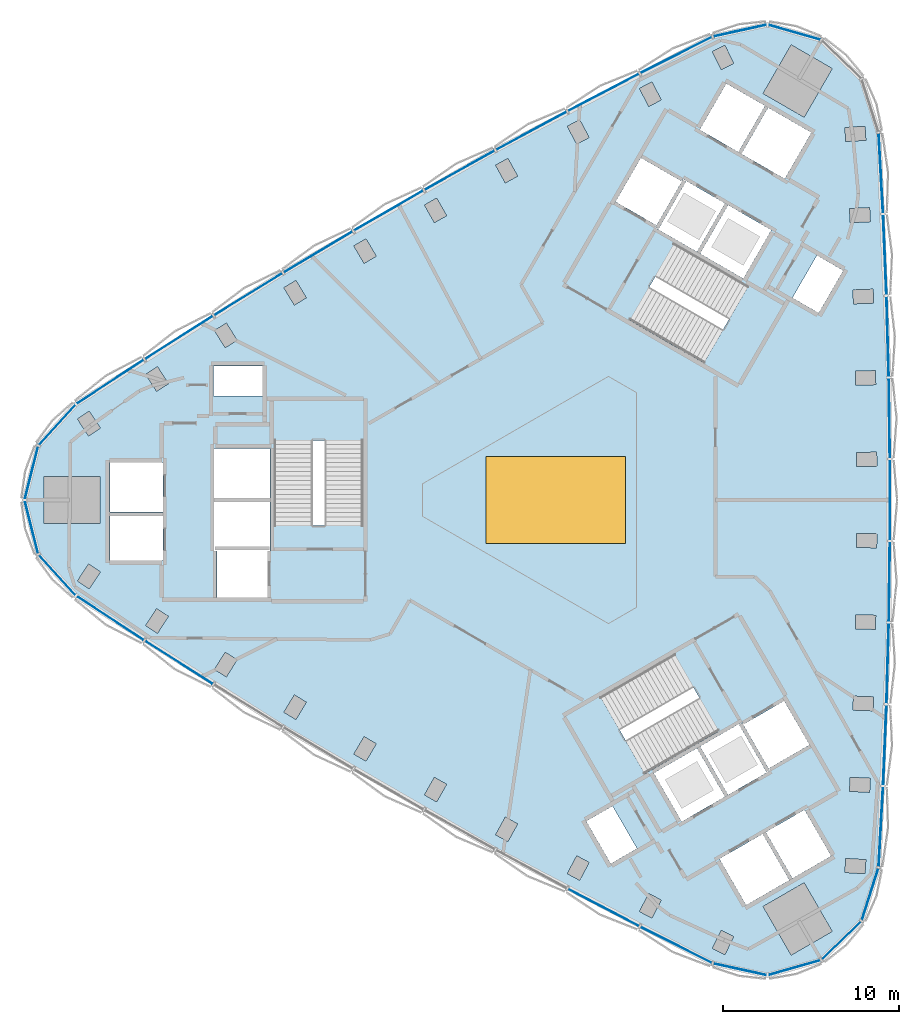
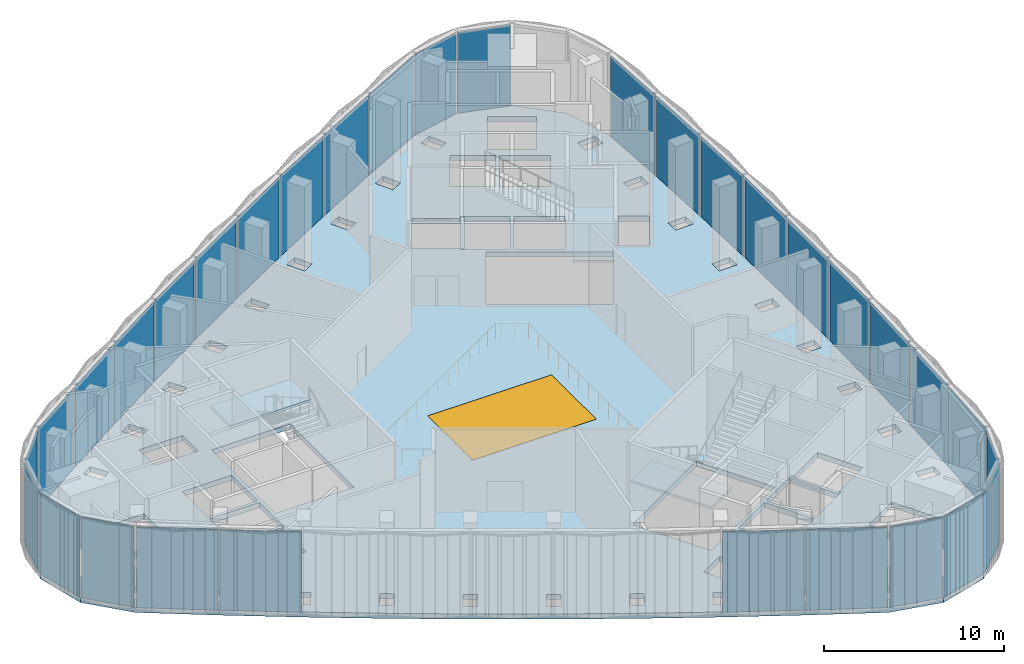
# One storey, part 4 of 14: 32 plates, 4 slabs, 1 window, 1 opening, 6 elements without a shape of their own.
"""IFC4 building model written with IfcOpenShell, lengths in metres."""

from ifc_helpers import new_model, si_unit, direction, frame, origin, origin_2d, place, context, subcontext, project, spatial, polyline, rectangle, outline, extrude, material, layer, layer_set, type_object, element, fill, aggregate, save


model = new_model("IFC4")

# Units and contexts
model_context = context("Model", 3, precision=1e-05, world=origin(), true_north=direction((0.0, 1.0)))
body_context = subcontext(model_context, "Body", "Model", "MODEL_VIEW")
ifc_project = project(units=[si_unit("LENGTHUNIT", "METRE"), si_unit("AREAUNIT", "SQUARE_METRE"), si_unit("VOLUMEUNIT", "CUBIC_METRE"), si_unit("PLANEANGLEUNIT", "RADIAN"), si_unit("MASSUNIT", "GRAM", prefix="KILO")], contexts=[model_context])

# Site, building, storey
site_placement = place(None, origin())
site = spatial("IfcSite", under=ifc_project, at=site_placement, CompositionType="ELEMENT")
building_placement = place(site_placement, origin())
building = spatial("IfcBuilding", under=site, at=building_placement, Name="Tamra Quay Hotel Tower", CompositionType="ELEMENT")
storey_placement = place(building_placement, frame((0.0, 0.0, 169.60009765625)))
storey = spatial("IfcBuildingStorey", under=building, at=storey_placement, Name="L42", CompositionType="ELEMENT", Elevation=169.60009765625)

# Stair, slab
ifc_material_1 = material(Name="Exit stair 2200 40 risers 150.0 going 258")
stair_type = type_object("IfcStairType", Name="Exit stair 2200 40 risers 150.0 going 258", PredefinedType="HALF_TURN_STAIR", material=ifc_material_1)
stair_1_placement = place(storey_placement, origin())
stair_1 = element("IfcStair", 1, at=stair_1_placement, inside=storey, type_object=stair_type, Name="L42 Exit stair ST3", PredefinedType="HALF_TURN_STAIR")
ifc_material_2 = material(Name="Concrete M70", Category="concrete")
ifc_layer_1 = layer(ifc_material_2, 0.175048828125)
ifc_layer_set_1 = layer_set([ifc_layer_1], Name="Concrete M70 stair landing 180")
slab_type_1 = type_object("IfcSlabType", Name="Concrete M70 stair landing 180", PredefinedType="LANDING", material=ifc_layer_set_1)
slab_1_placement = place(storey_placement, frame((0.0, 0.0, 2.824951171875)))
slab_1 = element("IfcSlab", 2, at=slab_1_placement, type_object=slab_type_1, Name="ST3 landing 1", PredefinedType="LANDING", context=body_context, shape_type="SweptSolid", body=[
    extrude(outline(polyline([(-10.932373046875, 3.40185546875), (-10.932373046875, 5.679931640625), (-16.09130859375, 5.679931640625), (-16.09130859375, 3.40185546875), (-10.932373046875, 3.40185546875)])), origin(), (0.0, 0.0, 1.0), 0.175048828125),
])
aggregate(stair_1, [slab_1])

stair_2_placement = place(storey_placement, origin())
stair_2 = element("IfcStair", 3, at=stair_2_placement, inside=storey, type_object=stair_type, Name="L42 Exit stair ST1", PredefinedType="HALF_TURN_STAIR")
slab_2_placement = place(storey_placement, frame((0.0, 0.0, 2.824951171875)))
slab_2 = element("IfcSlab", 4, at=slab_2_placement, type_object=slab_type_1, Name="ST1 landing 1", PredefinedType="LANDING", context=body_context, shape_type="SweptSolid", body=[
    extrude(outline(polyline([(8.412353515625, 7.7666015625), (10.385009765625, 6.627685546875), (12.964599609375, 11.095458984375), (10.99169921875, 12.234619140625), (8.412353515625, 7.7666015625)])), origin(), (0.0, 0.0, 1.0), 0.175048828125),
])
aggregate(stair_2, [slab_2])

stair_3_placement = place(storey_placement, origin())
stair_3 = element("IfcStair", 5, at=stair_3_placement, inside=storey, type_object=stair_type, Name="L42 Exit stair ST2", PredefinedType="HALF_TURN_STAIR")
slab_3_placement = place(storey_placement, frame((0.0, 0.0, 2.824951171875)))
slab_3 = element("IfcSlab", 6, at=slab_3_placement, type_object=slab_type_1, Name="ST2 landing 1", PredefinedType="LANDING", context=body_context, shape_type="SweptSolid", body=[
    extrude(outline(polyline([(2.52001953125, -11.168701171875), (0.547119140625, -12.3076171875), (3.126708984375, -16.775390625), (5.099609375, -15.636474609375), (2.52001953125, -11.168701171875)])), origin(), (0.0, 0.0, 1.0), 0.175048828125),
])
aggregate(stair_3, [slab_3])

# Slab, opening, window
ifc_material_3 = material(Name="Concrete M60", Category="concrete")
ifc_layer_2 = layer(ifc_material_3, 0.35009765625)
ifc_layer_set_2 = layer_set([ifc_layer_2], Name="FLOOR SLAB PT 350")
slab_type_2 = type_object("IfcSlabType", Name="FLOOR SLAB PT 350", PredefinedType="FLOOR", material=ifc_layer_set_2)
slab_4_placement = place(storey_placement, frame((0.0, 0.0, -0.35009765625)))
slab_4 = element("IfcSlab", 7, at=slab_4_placement, inside=storey, type_object=slab_type_2, Name="SLAB-L42", PredefinedType="FLOOR", context=body_context, shape_type="SweptSolid", body=[
    extrude(outline(polyline([(18.64990234375, 16.28955078125), (18.843505859375, 11.637451171875), (18.972900390625, 6.98388671875), (19.03759765625, 2.328125), (19.03759765625, -2.328125), (18.972900390625, -6.98388671875), (18.843505859375, -11.637451171875), (18.64990234375, -16.28955078125), (18.391845703125, -20.93798828125), (17.4228515625, -23.981689453125), (15.12939453125, -26.205078125), (12.057373046875, -27.079345703125), (8.93701171875, -26.39697265625), (4.7822265625, -24.296142578125), (0.656494140625, -22.1376953125), (-3.438232421875, -19.9228515625), (-7.502685546875, -17.65087890625), (-11.534912109375, -15.322998046875), (-15.534423828125, -12.939208984375), (-19.5, -10.500244140625), (-23.43212890625, -8.006591796875), (-27.328857421875, -5.458740234375), (-29.480224609375, -3.09765625), (-30.259033203125, 0.0), (-29.480224609375, 3.09765625), (-27.328857421875, 5.458740234375), (-23.43212890625, 8.006591796875), (-19.5, 10.500244140625), (-15.534423828125, 12.939208984375), (-11.534912109375, 15.322998046875), (-7.502685546875, 17.65087890625), (-3.438232421875, 19.9228515625), (0.656494140625, 22.1376953125), (4.7822265625, 24.296142578125), (8.93701171875, 26.39697265625), (12.057373046875, 27.079345703125), (15.12939453125, 26.205078125), (17.4228515625, 23.981689453125), (18.391845703125, 20.93798828125), (18.64990234375, 16.28955078125)]), holes=[polyline([(-11.500244140625, -14.4736328125), (-10.810302734375, -14.87841796875), (-10.228271484375, -13.88671875), (-10.918212890625, -13.481689453125), (-11.500244140625, -14.4736328125)]), polyline([(-14.89208984375, -11.106689453125), (-15.488037109375, -12.09033203125), (-14.8037109375, -12.5048828125), (-14.207763671875, -11.521240234375), (-14.89208984375, -11.106689453125)]), polyline([(-18.83349609375, -8.6767578125), (-19.4423828125, -9.65234375), (-18.763916015625, -10.075927734375), (-18.15478515625, -9.100341796875), (-18.83349609375, -8.6767578125)]), polyline([(-23.362548828125, -7.159423828125), (-22.689697265625, -7.59228515625), (-22.0673828125, -6.62548828125), (-22.739990234375, -6.1923828125), (-23.362548828125, -7.159423828125)]), polyline([(-26.6123046875, -3.654296875), (-27.247802734375, -4.612548828125), (-26.5810546875, -5.0546875), (-25.945556640625, -4.096435546875), (-26.6123046875, -3.654296875)]), polyline([(-16.3173828125, -2.85498046875), (-19.4072265625, -2.85498046875), (-19.4072265625, -2.89306640625), (-19.307373046875, -2.89306640625), (-19.307373046875, -5.544921875), (-16.417236328125, -5.544921875), (-16.417236328125, -2.89306640625), (-16.3173828125, -2.89306640625), (-16.3173828125, -2.85498046875)]), polyline([(-22.3671875, -0.905029296875), (-25.4072265625, -0.905029296875), (-25.4072265625, -3.445068359375), (-22.3671875, -3.445068359375), (-22.3671875, -0.905029296875)]), polyline([(-19.417236328125, -2.89306640625), (-19.417236328125, -2.64501953125), (-16.307373046875, -2.64501953125), (-16.307373046875, -2.89306640625), (-16.26708984375, -2.89306640625), (-16.26708984375, -0.10498046875), (-19.45751953125, -0.10498046875), (-19.45751953125, -2.89306640625), (-19.417236328125, -2.89306640625)]), polyline([(-25.958984375, 1.35009765625), (-29.158935546875, 1.35009765625), (-29.158935546875, -1.35009765625), (-25.958984375, -1.35009765625), (-25.958984375, 1.35009765625)]), polyline([(-25.4072265625, -0.695068359375), (-22.3671875, -0.695068359375), (-22.3671875, 2.14501953125), (-25.4072265625, 2.14501953125), (-25.4072265625, -0.695068359375)]), polyline([(-19.45751953125, 0.10498046875), (-16.26708984375, 0.10498046875), (-16.26708984375, 2.945068359375), (-19.45751953125, 2.945068359375), (-19.45751953125, 0.10498046875)]), polyline([(-16.036376953125, -1.455078125), (-10.9873046875, -1.455078125), (-10.9873046875, 5.625), (-16.036376953125, 5.625), (-16.036376953125, -1.455078125)]), polyline([(-25.945556640625, 4.096435546875), (-26.5810546875, 5.0546875), (-27.247802734375, 4.612548828125), (-26.6123046875, 3.654296875), (-25.945556640625, 4.096435546875)]), polyline([(-19.50732421875, 7.64501953125), (-19.50732421875, 5.9150390625), (-16.71728515625, 5.9150390625), (-16.71728515625, 7.64501953125), (-19.50732421875, 7.64501953125)]), polyline([(-22.0673828125, 6.62548828125), (-22.689697265625, 7.59228515625), (-23.362548828125, 7.159423828125), (-22.739990234375, 6.1923828125), (-22.0673828125, 6.62548828125)]), polyline([(-18.15478515625, 9.100341796875), (-18.763916015625, 10.075927734375), (-19.4423828125, 9.65234375), (-18.83349609375, 8.6767578125), (-18.15478515625, 9.100341796875)]), polyline([(-14.207763671875, 11.521240234375), (-14.8037109375, 12.5048828125), (-15.488037109375, 12.09033203125), (-14.89208984375, 11.106689453125), (-14.207763671875, 11.521240234375)]), polyline([(-10.228271484375, 13.88671875), (-10.810302734375, 14.87841796875), (-11.500244140625, 14.4736328125), (-10.918212890625, 13.481689453125), (-10.228271484375, 13.88671875)]), polyline([(9.42529296875, -24.517578125), (8.9130859375, -25.547119140625), (9.629150390625, -25.903564453125), (10.141357421875, -24.8740234375), (9.42529296875, -24.517578125)]), polyline([(5.2958984375, -22.423583984375), (4.76953125, -23.4462890625), (5.48095703125, -23.812255859375), (6.007080078125, -22.78955078125), (5.2958984375, -22.423583984375)]), polyline([(0.656005859375, -21.28759765625), (1.362060546875, -21.663818359375), (1.902587890625, -20.648681640625), (1.196533203125, -20.272705078125), (0.656005859375, -21.28759765625)]), polyline([(1.73779296875, -18.300048828125), (3.1328125, -20.71630859375), (4.631103515625, -19.851318359375), (3.236083984375, -17.43505859375), (1.73779296875, -18.300048828125)]), polyline([(-2.873779296875, -18.06494140625), (-3.427734375, -19.072998046875), (-2.7265625, -19.458251953125), (-2.172607421875, -18.4501953125), (-2.873779296875, -18.06494140625)]), polyline([(-6.912109375, -15.801513671875), (-7.47998046875, -16.80126953125), (-6.784423828125, -17.1962890625), (-6.21630859375, -16.196533203125), (-6.912109375, -15.801513671875)]), polyline([(9.6376953125, -16.903076171875), (8.042724609375, -14.14013671875), (5.5830078125, -15.560302734375), (7.17822265625, -18.322998046875), (9.6376953125, -16.903076171875)]), polyline([(12.214111328125, -15.369384765625), (11.999267578125, -15.493408203125), (10.4443359375, -12.800048828125), (10.6591796875, -12.676025390625), (10.63916015625, -12.64111328125), (8.224609375, -14.03515625), (9.819580078125, -16.798095703125), (12.234130859375, -15.404052734375), (12.214111328125, -15.369384765625)]), polyline([(9.2783203125, -13.160400390625), (6.75390625, -8.78759765625), (0.622314453125, -12.32763671875), (3.146728515625, -16.7001953125), (9.2783203125, -13.160400390625)]), polyline([(4.2333984375, 10.242919921875), (10.364990234375, 6.702880859375), (12.889404296875, 11.075439453125), (6.758056640625, 14.615478515625), (4.2333984375, 10.242919921875)]), polyline([(7.203125, 18.262451171875), (7.41796875, 18.138427734375), (5.863037109375, 15.445068359375), (5.648193359375, 15.569091796875), (5.628173828125, 15.5341796875), (8.04248046875, 14.140380859375), (9.6376953125, 16.903076171875), (7.22314453125, 18.297119140625), (7.203125, 18.262451171875)]), polyline([(-6.21630859375, 16.196533203125), (-6.784423828125, 17.1962890625), (-7.47998046875, 16.80126953125), (-6.912109375, 15.801513671875), (-6.21630859375, 16.196533203125)]), polyline([(7.231201171875, 18.234619140625), (7.1982421875, 18.253662109375), (7.148193359375, 18.1669921875), (4.8515625, 19.4931640625), (3.406494140625, 16.990234375), (5.703125, 15.664306640625), (5.6533203125, 15.57763671875), (5.68603515625, 15.55859375), (7.231201171875, 18.234619140625)]), polyline([(-2.172607421875, 18.4501953125), (-2.7265625, 19.458251953125), (-3.427734375, 19.072998046875), (-2.873779296875, 18.06494140625), (-2.172607421875, 18.4501953125)]), polyline([(1.902587890625, 20.648681640625), (1.362060546875, 21.663818359375), (0.656005859375, 21.28759765625), (1.196533203125, 20.272705078125), (1.902587890625, 20.648681640625)]), polyline([(10.39990234375, 19.822998046875), (11.919921875, 22.455810546875), (9.72021484375, 23.725830078125), (8.2001953125, 21.093017578125), (10.39990234375, 19.822998046875)]), polyline([(6.007080078125, 22.78955078125), (5.48095703125, 23.812255859375), (4.76953125, 23.4462890625), (5.2958984375, 22.423583984375), (6.007080078125, 22.78955078125)]), polyline([(10.141357421875, 24.8740234375), (9.629150390625, 25.903564453125), (8.9130859375, 25.547119140625), (9.42529296875, 24.517578125), (10.141357421875, 24.8740234375)]), polyline([(11.810302734375, -23.15625), (13.410400390625, -25.927490234375), (15.74853515625, -24.577392578125), (14.148681640625, -21.80615234375), (11.810302734375, -23.15625)]), polyline([(13.3056640625, -21.65576171875), (11.78564453125, -19.02294921875), (9.325927734375, -20.443115234375), (10.845947265625, -23.075927734375), (13.3056640625, -21.65576171875)]), polyline([(16.470703125, -21.2197265625), (17.61865234375, -21.291015625), (17.668212890625, -20.492431640625), (16.5205078125, -20.42138671875), (16.470703125, -21.2197265625)]), polyline([(14.1669921875, -17.648193359375), (11.96728515625, -18.91796875), (13.487548828125, -21.55078125), (15.68701171875, -20.281005859375), (14.1669921875, -17.648193359375)]), polyline([(17.881591796875, -16.65283203125), (17.920166015625, -15.853759765625), (16.771484375, -15.798095703125), (16.73291015625, -16.59716796875), (17.881591796875, -16.65283203125)]), polyline([(10.631103515625, -12.70361328125), (12.176025390625, -15.379638671875), (12.208984375, -15.360595703125), (12.1591796875, -15.274169921875), (14.455810546875, -13.947998046875), (13.0107421875, -11.4453125), (10.714111328125, -12.771240234375), (10.6640625, -12.6845703125), (10.631103515625, -12.70361328125)]), polyline([(16.930908203125, -11.971923828125), (18.080322265625, -12.011474609375), (18.10791015625, -11.2119140625), (16.95849609375, -11.172607421875), (16.930908203125, -11.971923828125)]), polyline([(17.064697265625, -7.343505859375), (18.214599609375, -7.367919921875), (18.2314453125, -6.568115234375), (17.081787109375, -6.543701171875), (17.064697265625, -7.343505859375)]), polyline([(17.134765625, -2.714599609375), (18.28466796875, -2.72265625), (18.290283203125, -1.9228515625), (17.140380859375, -1.914794921875), (17.134765625, -2.714599609375)]), polyline([(17.140380859375, 1.914794921875), (18.290283203125, 1.9228515625), (18.28466796875, 2.72265625), (17.134765625, 2.714599609375), (17.140380859375, 1.914794921875)]), polyline([(17.081787109375, 6.543701171875), (18.2314453125, 6.568115234375), (18.214599609375, 7.367919921875), (17.064697265625, 7.343505859375), (17.081787109375, 6.543701171875)]), polyline([(18.10791015625, 11.2119140625), (18.080322265625, 12.011474609375), (16.930908203125, 11.971923828125), (16.95849609375, 11.172607421875), (18.10791015625, 11.2119140625)]), polyline([(14.9794921875, 10.655029296875), (16.37451171875, 13.0712890625), (14.876220703125, 13.936279296875), (13.481201171875, 11.52001953125), (14.9794921875, 10.655029296875)]), polyline([(9.819580078125, 16.798095703125), (8.224365234375, 14.035400390625), (10.68408203125, 12.615234375), (12.279052734375, 15.378173828125), (9.819580078125, 16.798095703125)]), polyline([(16.771484375, 15.798095703125), (17.920166015625, 15.853759765625), (17.881591796875, 16.65283203125), (16.73291015625, 16.59716796875), (16.771484375, 15.798095703125)]), polyline([(12.101806640625, 22.350830078125), (10.58154296875, 19.718017578125), (13.041259765625, 18.298095703125), (14.561279296875, 20.930908203125), (12.101806640625, 22.350830078125)]), polyline([(16.5205078125, 20.42138671875), (17.668212890625, 20.492431640625), (17.61865234375, 21.291015625), (16.470703125, 21.2197265625), (16.5205078125, 20.42138671875)]), polyline([(14.148681640625, 21.80615234375), (15.74853515625, 24.577392578125), (13.410400390625, 25.927490234375), (11.810302734375, 23.15625), (14.148681640625, 21.80615234375)])]), origin(), (0.0, 0.0, 1.0), 0.35009765625),
])
opening_placement = place(slab_4_placement, origin())
opening = element("IfcOpeningElement", 8, at=opening_placement, cuts=slab_4, Name="Opening SK1-7950", PredefinedType="OPENING", context=body_context, shape_type="SweptSolid", body=[
    extrude(rectangle(XDim=7.949951171875, YDim=4.9599609375, at=origin_2d()), origin(), (0.0, 0.0, 1.0), 0.35009765625),
])
ifc_material_4 = material(Name="Fire-rated laminated glass in steel frame", Category="steel")
window_type = type_object("IfcWindowType", Name="ATRIUM SKYLIGHT 7950X4960", PartitioningType="SINGLE_PANEL", PredefinedType="SKYLIGHT", material=ifc_material_4)
window_placement = place(opening_placement, frame((0.0, 0.0, 0.300048828125)))
window = element("IfcWindow", 9, at=window_placement, inside=storey, type_object=window_type, Name="SK1-7950", OverallHeight=4.9599609375, OverallWidth=7.949951171875, PartitioningType="SINGLE_PANEL", PredefinedType="SKYLIGHT", context=body_context, shape_type="SweptSolid", body=[
    extrude(rectangle(XDim=7.949951171875, YDim=4.9599609375, at=origin_2d()), origin(), (0.0, 0.0, 1.0), 0.050048828125),
])
fill(opening, window)

# Curtain wall, plates
ifc_material_5 = material(Name="Aluminium 6063 anodised dark grey", Category="aluminium")
curtain_wall_type = type_object("IfcCurtainWallType", Name="CW5 CURTAIN WALL", PredefinedType="NOTDEFINED", material=ifc_material_5)
curtain_wall_1_placement = place(storey_placement, origin())
curtain_wall_1 = element("IfcCurtainWall", 10, at=curtain_wall_1_placement, inside=storey, type_object=curtain_wall_type, Name="CW5 east face L42", PredefinedType="NOTDEFINED")
ifc_material_6 = material(Name="Glass clear laminated low-iron", Category="glass")
ifc_layer_3 = layer(ifc_material_6, 0.0400390625)
ifc_layer_set_3 = layer_set([ifc_layer_3], Name="GLASS PANEL CW5")
plate_type = type_object("IfcPlateType", Name="GLASS PANEL CW5", PredefinedType="CURTAIN_PANEL", material=ifc_layer_set_3)
plate_1_placement = place(storey_placement, frame((18.52099609375, -18.61376953125, 0.0), z_axis=(0.0, 0.0, 1.0), x_axis=(0.055417205068, 0.998463285946, 0.0)))
plate_1 = element("IfcPlate", 11, at=plate_1_placement, type_object=plate_type, Name="CW5 glass L42.E.1", PredefinedType="CURTAIN_PANEL", context=body_context, shape_type="SweptSolid", body=[
    extrude(rectangle(XDim=4.535888671875, YDim=0.0400390625, at=origin_2d()), origin(), (0.0, 0.0, 1.0), 5.469970703125),
])
plate_2_placement = place(storey_placement, frame((18.746826171875, -13.96337890625, 0.0), z_axis=(0.0, 0.0, 1.0), x_axis=(0.041600060094, 0.999134342819, 0.0)))
plate_2 = element("IfcPlate", 12, at=plate_2_placement, type_object=plate_type, Name="CW5 glass L42.E.2", PredefinedType="CURTAIN_PANEL", context=body_context, shape_type="SweptSolid", body=[
    extrude(rectangle(XDim=4.5361328125, YDim=0.0400390625, at=origin_2d()), origin(), (0.0, 0.0, 1.0), 5.469970703125),
])
plate_3_placement = place(storey_placement, frame((18.908203125, -9.310546875, 0.0), z_axis=(0.0, 0.0, 1.0), x_axis=(0.027753727156, 0.999614791122, 0.0)))
plate_3 = element("IfcPlate", 13, at=plate_3_placement, type_object=plate_type, Name="CW5 glass L42.E.3", PredefinedType="CURTAIN_PANEL", context=body_context, shape_type="SweptSolid", body=[
    extrude(rectangle(XDim=4.535400390625, YDim=0.0400390625, at=origin_2d()), origin(), (0.0, 0.0, 1.0), 5.469970703125),
])
plate_4_placement = place(storey_placement, frame((19.005126953125, -4.656005859375, 0.0), z_axis=(0.0, 0.0, 1.0), x_axis=(0.013885835294, 0.999903587141, 0.0)))
plate_4 = element("IfcPlate", 14, at=plate_4_placement, type_object=plate_type, Name="CW5 glass L42.E.4", PredefinedType="CURTAIN_PANEL", context=body_context, shape_type="SweptSolid", body=[
    extrude(rectangle(XDim=4.5361328125, YDim=0.0400390625, at=origin_2d()), origin(), (0.0, 0.0, 1.0), 5.469970703125),
])
plate_5_placement = place(storey_placement, frame((19.03759765625, 0.0, 0.0), z_axis=(0.0, 0.0, 1.0), x_axis=(0.0, 1.0, 0.0)))
plate_5 = element("IfcPlate", 15, at=plate_5_placement, type_object=plate_type, Name="CW5 glass L42.E.5", PredefinedType="CURTAIN_PANEL", context=body_context, shape_type="SweptSolid", body=[
    extrude(rectangle(XDim=4.5361328125, YDim=0.0400390625, at=origin_2d()), origin(), (0.0, 0.0, 1.0), 5.469970703125),
])
plate_6_placement = place(storey_placement, frame((19.005126953125, 4.656005859375, 0.0), z_axis=(0.0, 0.0, 1.0), x_axis=(-0.013885835294, 0.999903587141, 0.0)))
plate_6 = element("IfcPlate", 16, at=plate_6_placement, type_object=plate_type, Name="CW5 glass L42.E.6", PredefinedType="CURTAIN_PANEL", context=body_context, shape_type="SweptSolid", body=[
    extrude(rectangle(XDim=4.5361328125, YDim=0.0400390625, at=origin_2d()), origin(), (0.0, 0.0, 1.0), 5.469970703125),
])
plate_7_placement = place(storey_placement, frame((18.908203125, 9.310546875, 0.0), z_axis=(0.0, 0.0, 1.0), x_axis=(-0.027753727156, 0.999614791122, 0.0)))
plate_7 = element("IfcPlate", 17, at=plate_7_placement, type_object=plate_type, Name="CW5 glass L42.E.7", PredefinedType="CURTAIN_PANEL", context=body_context, shape_type="SweptSolid", body=[
    extrude(rectangle(XDim=4.535400390625, YDim=0.0400390625, at=origin_2d()), origin(), (0.0, 0.0, 1.0), 5.469970703125),
])
plate_8_placement = place(storey_placement, frame((18.746826171875, 13.96337890625, 0.0), z_axis=(0.0, 0.0, 1.0), x_axis=(-0.041600060094, 0.999134342819, 0.0)))
plate_8 = element("IfcPlate", 18, at=plate_8_placement, type_object=plate_type, Name="CW5 glass L42.E.8", PredefinedType="CURTAIN_PANEL", context=body_context, shape_type="SweptSolid", body=[
    extrude(rectangle(XDim=4.5361328125, YDim=0.0400390625, at=origin_2d()), origin(), (0.0, 0.0, 1.0), 5.469970703125),
])
plate_9_placement = place(storey_placement, frame((18.52099609375, 18.61376953125, 0.0), z_axis=(0.0, 0.0, 1.0), x_axis=(-0.055417205068, 0.998463285946, 0.0)))
plate_9 = element("IfcPlate", 19, at=plate_9_placement, type_object=plate_type, Name="CW5 glass L42.E.9", PredefinedType="CURTAIN_PANEL", context=body_context, shape_type="SweptSolid", body=[
    extrude(rectangle(XDim=4.535888671875, YDim=0.0400390625, at=origin_2d()), origin(), (0.0, 0.0, 1.0), 5.469970703125),
])
plate_10_placement = place(storey_placement, frame((13.593505859375, 26.642333984375, 0.0), z_axis=(0.0, 0.0, 1.0), x_axis=(-0.961800959591, 0.273749729005, 0.0)))
plate_10 = element("IfcPlate", 20, at=plate_10_placement, type_object=plate_type, Name="CW5 glass L42.E.12", PredefinedType="CURTAIN_PANEL", context=body_context, shape_type="SweptSolid", body=[
    extrude(rectangle(XDim=3.07421875, YDim=0.0400390625, at=origin_2d()), origin(), (0.0, 0.0, 1.0), 5.469970703125),
])
plate_11_placement = place(storey_placement, frame((10.4970703125, 26.73828125, 0.0), z_axis=(0.0, 0.0, 1.0), x_axis=(-0.976906161202, -0.213668790904, 0.0)))
plate_11 = element("IfcPlate", 21, at=plate_11_placement, type_object=plate_type, Name="CW5 glass L42.E.13", PredefinedType="CURTAIN_PANEL", context=body_context, shape_type="SweptSolid", body=[
    extrude(rectangle(XDim=3.07421875, YDim=0.0400390625, at=origin_2d()), origin(), (0.0, 0.0, 1.0), 5.469970703125),
])
aggregate(curtain_wall_1, [plate_1, plate_2, plate_3, plate_4, plate_5, plate_6, plate_7, plate_8, plate_9, plate_10, plate_11])

curtain_wall_2_placement = place(storey_placement, origin())
curtain_wall_2 = element("IfcCurtainWall", 22, at=curtain_wall_2_placement, inside=storey, type_object=curtain_wall_type, Name="CW5 north-west face L42", PredefinedType="NOTDEFINED")
plate_12_placement = place(storey_placement, frame((6.859619140625, 25.346435546875, 0.0), z_axis=(0.0, 0.0, 1.0), x_axis=(-0.892403172909, -0.451238935578, 0.0)))
plate_12 = element("IfcPlate", 23, at=plate_12_placement, type_object=plate_type, Name="CW5 glass L42.NW.1", PredefinedType="CURTAIN_PANEL", context=body_context, shape_type="SweptSolid", body=[
    extrude(rectangle(XDim=4.535888671875, YDim=0.0400390625, at=origin_2d()), origin(), (0.0, 0.0, 1.0), 5.469970703125),
])
plate_13_placement = place(storey_placement, frame((2.71923828125, 23.217041015625, 0.0), z_axis=(0.0, 0.0, 1.0), x_axis=(-0.886075752722, -0.463540462569, 0.0)))
plate_13 = element("IfcPlate", 24, at=plate_13_placement, type_object=plate_type, Name="CW5 glass L42.NW.2", PredefinedType="CURTAIN_PANEL", context=body_context, shape_type="SweptSolid", body=[
    extrude(rectangle(XDim=4.5361328125, YDim=0.0400390625, at=origin_2d()), origin(), (0.0, 0.0, 1.0), 5.469970703125),
])
plate_14_placement = place(storey_placement, frame((-1.390869140625, 21.0302734375, 0.0), z_axis=(0.0, 0.0, 1.0), x_axis=(-0.879568666688, -0.475771962794, 0.0)))
plate_14 = element("IfcPlate", 25, at=plate_14_placement, type_object=plate_type, Name="CW5 glass L42.NW.3", PredefinedType="CURTAIN_PANEL", context=body_context, shape_type="SweptSolid", body=[
    extrude(rectangle(XDim=4.535400390625, YDim=0.0400390625, at=origin_2d()), origin(), (0.0, 0.0, 1.0), 5.469970703125),
])
plate_15_placement = place(storey_placement, frame((-5.470458984375, 18.786865234375, 0.0), z_axis=(0.0, 0.0, 1.0), x_axis=(-0.872884825446, -0.487926307454, 0.0)))
plate_15 = element("IfcPlate", 26, at=plate_15_placement, type_object=plate_type, Name="CW5 glass L42.NW.4", PredefinedType="CURTAIN_PANEL", context=body_context, shape_type="SweptSolid", body=[
    extrude(rectangle(XDim=4.5361328125, YDim=0.0400390625, at=origin_2d()), origin(), (0.0, 0.0, 1.0), 5.469970703125),
])
plate_16_placement = place(storey_placement, frame((-9.518798828125, 16.487060546875, 0.0), z_axis=(0.0, 0.0, 1.0), x_axis=(-0.866025403784, -0.5, 0.0)))
plate_16 = element("IfcPlate", 27, at=plate_16_placement, type_object=plate_type, Name="CW5 glass L42.NW.5", PredefinedType="CURTAIN_PANEL", context=body_context, shape_type="SweptSolid", body=[
    extrude(rectangle(XDim=4.5361328125, YDim=0.0400390625, at=origin_2d()), origin(), (0.0, 0.0, 1.0), 5.469970703125),
])
plate_17_placement = place(storey_placement, frame((-13.53466796875, 14.131103515625, 0.0), z_axis=(0.0, 0.0, 1.0), x_axis=(-0.858998990153, -0.511977279688, 0.0)))
plate_17 = element("IfcPlate", 28, at=plate_17_placement, type_object=plate_type, Name="CW5 glass L42.NW.6", PredefinedType="CURTAIN_PANEL", context=body_context, shape_type="SweptSolid", body=[
    extrude(rectangle(XDim=4.5361328125, YDim=0.0400390625, at=origin_2d()), origin(), (0.0, 0.0, 1.0), 5.469970703125),
])
plate_18_placement = place(storey_placement, frame((-17.517333984375, 11.7197265625, 0.0), z_axis=(0.0, 0.0, 1.0), x_axis=(-0.851814939532, -0.523842828328, 0.0)))
plate_18 = element("IfcPlate", 29, at=plate_18_placement, type_object=plate_type, Name="CW5 glass L42.NW.7", PredefinedType="CURTAIN_PANEL", context=body_context, shape_type="SweptSolid", body=[
    extrude(rectangle(XDim=4.535400390625, YDim=0.0400390625, at=origin_2d()), origin(), (0.0, 0.0, 1.0), 5.469970703125),
])
plate_19_placement = place(storey_placement, frame((-21.466064453125, 9.25341796875, 0.0), z_axis=(0.0, 0.0, 1.0), x_axis=(-0.844475692628, -0.53559388025, 0.0)))
plate_19 = element("IfcPlate", 30, at=plate_19_placement, type_object=plate_type, Name="CW5 glass L42.NW.8", PredefinedType="CURTAIN_PANEL", context=body_context, shape_type="SweptSolid", body=[
    extrude(rectangle(XDim=4.5361328125, YDim=0.0400390625, at=origin_2d()), origin(), (0.0, 0.0, 1.0), 5.469970703125),
])
plate_20_placement = place(storey_placement, frame((-25.380615234375, 6.732666015625, 0.0), z_axis=(0.0, 0.0, 1.0), x_axis=(-0.836985967842, -0.547224350369, 0.0)))
plate_20 = element("IfcPlate", 31, at=plate_20_placement, type_object=plate_type, Name="CW5 glass L42.NW.9", PredefinedType="CURTAIN_PANEL", context=body_context, shape_type="SweptSolid", body=[
    extrude(rectangle(XDim=4.535888671875, YDim=0.0400390625, at=origin_2d()), origin(), (0.0, 0.0, 1.0), 5.469970703125),
])
plate_21_placement = place(storey_placement, frame((-28.404541015625, 4.2783203125, 0.0), z_axis=(0.0, 0.0, 1.0), x_axis=(-0.673495681519, -0.739191157262, 0.0)))
plate_21 = element("IfcPlate", 32, at=plate_21_placement, type_object=plate_type, Name="CW5 glass L42.NW.10", PredefinedType="CURTAIN_PANEL", context=body_context, shape_type="SweptSolid", body=[
    extrude(rectangle(XDim=3.07421875, YDim=0.0400390625, at=origin_2d()), origin(), (0.0, 0.0, 1.0), 5.469970703125),
])
plate_22_placement = place(storey_placement, frame((-29.86962890625, 1.548828125, 0.0), z_axis=(0.0, 0.0, 1.0), x_axis=(-0.243826260198, -0.969818928892, 0.0)))
plate_22 = element("IfcPlate", 33, at=plate_22_placement, type_object=plate_type, Name="CW5 glass L42.NW.11", PredefinedType="CURTAIN_PANEL", context=body_context, shape_type="SweptSolid", body=[
    extrude(rectangle(XDim=3.07421875, YDim=0.0400390625, at=origin_2d()), origin(), (0.0, 0.0, 1.0), 5.469970703125),
])
plate_23_placement = place(storey_placement, frame((-29.86962890625, -1.548828125, 0.0), z_axis=(0.0, 0.0, 1.0), x_axis=(0.243826260198, -0.969818928892, 0.0)))
plate_23 = element("IfcPlate", 34, at=plate_23_placement, type_object=plate_type, Name="CW5 glass L42.NW.12", PredefinedType="CURTAIN_PANEL", context=body_context, shape_type="SweptSolid", body=[
    extrude(rectangle(XDim=3.07421875, YDim=0.0400390625, at=origin_2d()), origin(), (0.0, 0.0, 1.0), 5.469970703125),
])
plate_24_placement = place(storey_placement, frame((-28.404541015625, -4.2783203125, 0.0), z_axis=(0.0, 0.0, 1.0), x_axis=(0.673495681519, -0.739191157262, 0.0)))
plate_24 = element("IfcPlate", 35, at=plate_24_placement, type_object=plate_type, Name="CW5 glass L42.NW.13", PredefinedType="CURTAIN_PANEL", context=body_context, shape_type="SweptSolid", body=[
    extrude(rectangle(XDim=3.07421875, YDim=0.0400390625, at=origin_2d()), origin(), (0.0, 0.0, 1.0), 5.469970703125),
])
aggregate(curtain_wall_2, [plate_12, plate_13, plate_14, plate_15, plate_16, plate_17, plate_18, plate_19, plate_20, plate_21, plate_22, plate_23, plate_24])

curtain_wall_3_placement = place(storey_placement, origin())
curtain_wall_3 = element("IfcCurtainWall", 36, at=curtain_wall_3_placement, inside=storey, type_object=curtain_wall_type, Name="CW5 south-west face L42", PredefinedType="NOTDEFINED")
plate_25_placement = place(storey_placement, frame((-25.380615234375, -6.732666015625, 0.0), z_axis=(0.0, 0.0, 1.0), x_axis=(0.836985967842, -0.547224350369, 0.0)))
plate_25 = element("IfcPlate", 37, at=plate_25_placement, type_object=plate_type, Name="CW5 glass L42.SW.1", PredefinedType="CURTAIN_PANEL", context=body_context, shape_type="SweptSolid", body=[
    extrude(rectangle(XDim=4.535888671875, YDim=0.0400390625, at=origin_2d()), origin(), (0.0, 0.0, 1.0), 5.469970703125),
])
plate_26_placement = place(storey_placement, frame((-21.466064453125, -9.25341796875, 0.0), z_axis=(0.0, 0.0, 1.0), x_axis=(0.844475692628, -0.53559388025, 0.0)))
plate_26 = element("IfcPlate", 38, at=plate_26_placement, type_object=plate_type, Name="CW5 glass L42.SW.2", PredefinedType="CURTAIN_PANEL", context=body_context, shape_type="SweptSolid", body=[
    extrude(rectangle(XDim=4.5361328125, YDim=0.0400390625, at=origin_2d()), origin(), (0.0, 0.0, 1.0), 5.469970703125),
])
plate_27_placement = place(storey_placement, frame((2.71923828125, -23.217041015625, 0.0), z_axis=(0.0, 0.0, 1.0), x_axis=(0.886075752722, -0.463540462569, 0.0)))
plate_27 = element("IfcPlate", 39, at=plate_27_placement, type_object=plate_type, Name="CW5 glass L42.SW.8", PredefinedType="CURTAIN_PANEL", context=body_context, shape_type="SweptSolid", body=[
    extrude(rectangle(XDim=4.5361328125, YDim=0.0400390625, at=origin_2d()), origin(), (0.0, 0.0, 1.0), 5.469970703125),
])
plate_28_placement = place(storey_placement, frame((6.859619140625, -25.346435546875, 0.0), z_axis=(0.0, 0.0, 1.0), x_axis=(0.892403172909, -0.451238935578, 0.0)))
plate_28 = element("IfcPlate", 40, at=plate_28_placement, type_object=plate_type, Name="CW5 glass L42.SW.9", PredefinedType="CURTAIN_PANEL", context=body_context, shape_type="SweptSolid", body=[
    extrude(rectangle(XDim=4.535888671875, YDim=0.0400390625, at=origin_2d()), origin(), (0.0, 0.0, 1.0), 5.469970703125),
])
plate_29_placement = place(storey_placement, frame((10.4970703125, -26.73828125, 0.0), z_axis=(0.0, 0.0, 1.0), x_axis=(0.976906161202, -0.213668790904, 0.0)))
plate_29 = element("IfcPlate", 41, at=plate_29_placement, type_object=plate_type, Name="CW5 glass L42.SW.10", PredefinedType="CURTAIN_PANEL", context=body_context, shape_type="SweptSolid", body=[
    extrude(rectangle(XDim=3.07421875, YDim=0.0400390625, at=origin_2d()), origin(), (0.0, 0.0, 1.0), 5.469970703125),
])
plate_30_placement = place(storey_placement, frame((13.593505859375, -26.642333984375, 0.0), z_axis=(0.0, 0.0, 1.0), x_axis=(0.961800959591, 0.273749729005, 0.0)))
plate_30 = element("IfcPlate", 42, at=plate_30_placement, type_object=plate_type, Name="CW5 glass L42.SW.11", PredefinedType="CURTAIN_PANEL", context=body_context, shape_type="SweptSolid", body=[
    extrude(rectangle(XDim=3.07421875, YDim=0.0400390625, at=origin_2d()), origin(), (0.0, 0.0, 1.0), 5.469970703125),
])
plate_31_placement = place(storey_placement, frame((16.276123046875, -25.09326171875, 0.0), z_axis=(0.0, 0.0, 1.0), x_axis=(0.717974699393, 0.696069199888, 0.0)))
plate_31 = element("IfcPlate", 43, at=plate_31_placement, type_object=plate_type, Name="CW5 glass L42.SW.12", PredefinedType="CURTAIN_PANEL", context=body_context, shape_type="SweptSolid", body=[
    extrude(rectangle(XDim=3.07421875, YDim=0.0400390625, at=origin_2d()), origin(), (0.0, 0.0, 1.0), 5.469970703125),
])
plate_32_placement = place(storey_placement, frame((17.9072265625, -22.4599609375, 0.0), z_axis=(0.0, 0.0, 1.0), x_axis=(0.303410479682, 0.952859948166, 0.0)))
plate_32 = element("IfcPlate", 44, at=plate_32_placement, type_object=plate_type, Name="CW5 glass L42.SW.13", PredefinedType="CURTAIN_PANEL", context=body_context, shape_type="SweptSolid", body=[
    extrude(rectangle(XDim=3.07421875, YDim=0.0400390625, at=origin_2d()), origin(), (0.0, 0.0, 1.0), 5.469970703125),
])
aggregate(curtain_wall_3, [plate_25, plate_26, plate_27, plate_28, plate_29, plate_30, plate_31, plate_32])

save(model, "model.ifc")
